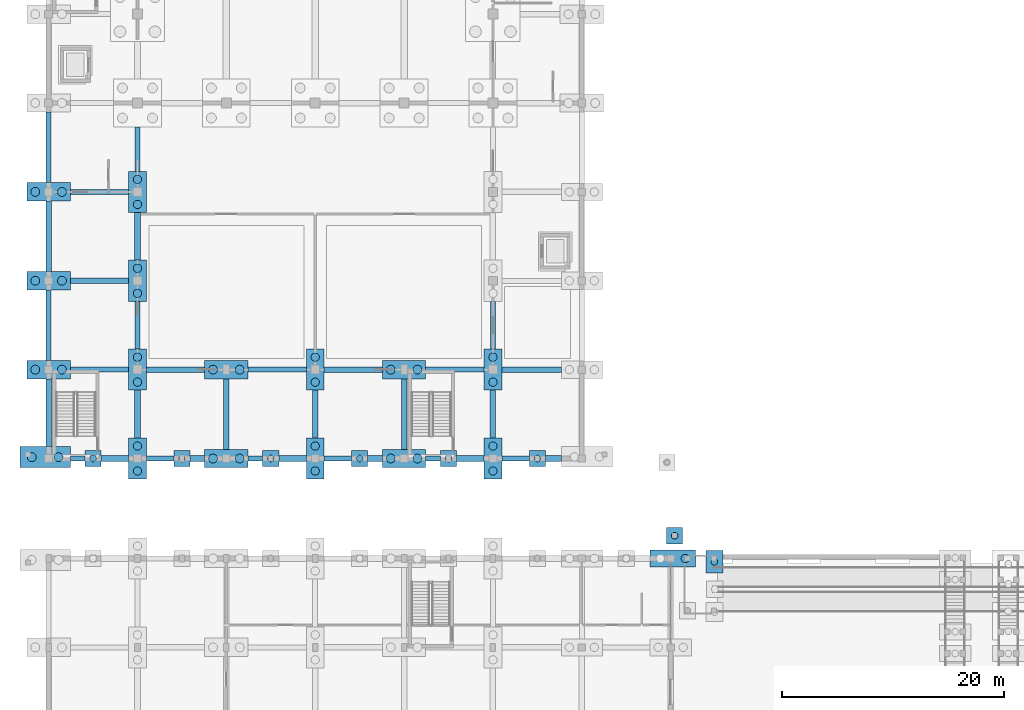
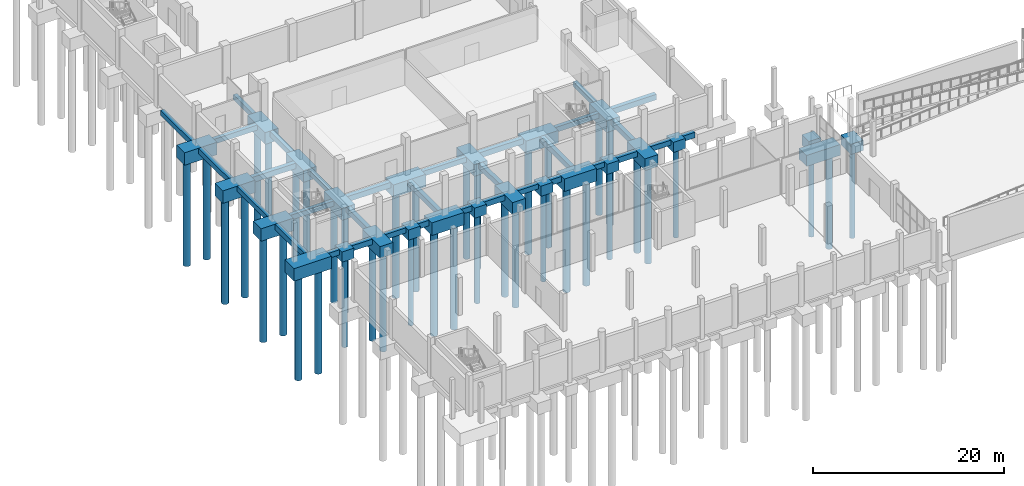
# One storey, part 3 of 52: 58 footings, 41 piles.
"""IFC4 building model written with IfcOpenShell, lengths in metres."""

from ifc_helpers import new_model, si_unit, direction, frame, origin, origin_2d, place, context, subcontext, project, spatial, polyline, rectangle, circle, outline, extrude, material, material_profile, profile_set, type_object, element, save


model = new_model("IFC4")

# Units and contexts
model_context = context("Model", 3, precision=1e-05, world=origin(), true_north=direction((0.0, 1.0)))
body_context = subcontext(model_context, "Body", "Model", "MODEL_VIEW")
ifc_project = project(units=[si_unit("LENGTHUNIT", "METRE"), si_unit("AREAUNIT", "SQUARE_METRE"), si_unit("VOLUMEUNIT", "CUBIC_METRE"), si_unit("PLANEANGLEUNIT", "RADIAN"), si_unit("MASSUNIT", "GRAM", prefix="KILO")], contexts=[model_context])

# Site, building, storey
site_placement = place(None, origin())
site = spatial("IfcSite", under=ifc_project, at=site_placement, CompositionType="ELEMENT")
building_placement = place(site_placement, origin())
building = spatial("IfcBuilding", under=site, at=building_placement, Name="Luwemba Playhouse", CompositionType="ELEMENT")
storey_placement = place(building_placement, frame((0.0, 0.0, -4.800048828125)))
storey = spatial("IfcBuildingStorey", under=building, at=storey_placement, Name="B1", CompositionType="ELEMENT", Elevation=-4.800048828125)

# Footings
ifc_material = material(Name="Concrete C32/40", Category="concrete")
ifc_material_profile_1 = material_profile(ifc_material, rectangle(XDim=0.449951171875, YDim=0.64990234375, at=origin_2d()))
ifc_profile_set_1 = profile_set([ifc_material_profile_1], Name="Concrete C32/40")
footing_type_1 = type_object("IfcFootingType", Name="FTBM-GB1", PredefinedType="FOOTING_BEAM", material=ifc_profile_set_1)
footing_1_placement = place(storey_placement, frame((5.949951171875, 36.0, -0.704833984375), z_axis=(1.0, 0.0, 0.0), x_axis=(0.0, 1.0, 0.0)))
element("IfcFooting", 1, at=footing_1_placement, inside=storey, type_object=footing_type_1, Name="Ground tie-beam 085", PredefinedType="FOOTING_BEAM", context=body_context, shape_type="SweptSolid", body=[
    extrude(rectangle(XDim=0.449951171875, YDim=0.64990234375, at=origin_2d()), origin(), (0.0, 0.0, 1.0), 1.324951171875),
])
footing_2_placement = place(storey_placement, frame((12.800048828125, 36.0, -0.704833984375), z_axis=(1.0, 0.0, 0.0), x_axis=(0.0, 1.0, 0.0)))
element("IfcFooting", 2, at=footing_2_placement, inside=storey, type_object=footing_type_1, Name="Ground tie-beam 087", PredefinedType="FOOTING_BEAM", context=body_context, shape_type="SweptSolid", body=[
    extrude(rectangle(XDim=0.449951171875, YDim=0.64990234375, at=origin_2d()), origin(), (0.0, 0.0, 1.0), 2.474853515625),
])
footing_3_placement = place(storey_placement, frame((21.949951171875, 36.0, -0.704833984375), z_axis=(1.0, 0.0, 0.0), x_axis=(0.0, 1.0, 0.0)))
element("IfcFooting", 3, at=footing_3_placement, inside=storey, type_object=footing_type_1, Name="Ground tie-beam 089", PredefinedType="FOOTING_BEAM", context=body_context, shape_type="SweptSolid", body=[
    extrude(rectangle(XDim=0.449951171875, YDim=0.64990234375, at=origin_2d()), origin(), (0.0, 0.0, 1.0), 1.324951171875),
])
footing_4_placement = place(storey_placement, frame((28.800048828125, 36.0, -0.704833984375), z_axis=(1.0, 0.0, 0.0), x_axis=(0.0, 1.0, 0.0)))
element("IfcFooting", 4, at=footing_4_placement, inside=storey, type_object=footing_type_1, Name="Ground tie-beam 091", PredefinedType="FOOTING_BEAM", context=body_context, shape_type="SweptSolid", body=[
    extrude(rectangle(XDim=0.449951171875, YDim=0.64990234375, at=origin_2d()), origin(), (0.0, 0.0, 1.0), 2.474853515625),
])
footing_5_placement = place(storey_placement, frame((37.949951171875, 36.0, -0.704833984375), z_axis=(1.0, 0.0, 0.0), x_axis=(0.0, 1.0, 0.0)))
element("IfcFooting", 5, at=footing_5_placement, inside=storey, type_object=footing_type_1, Name="Ground tie-beam 093", PredefinedType="FOOTING_BEAM", context=body_context, shape_type="SweptSolid", body=[
    extrude(rectangle(XDim=0.449951171875, YDim=0.64990234375, at=origin_2d()), origin(), (0.0, 0.0, 1.0), 1.324951171875),
])
footing_6_placement = place(storey_placement, frame((44.800048828125, 36.0, -0.704833984375), z_axis=(1.0, 0.0, 0.0), x_axis=(0.0, 1.0, 0.0)))
element("IfcFooting", 6, at=footing_6_placement, inside=storey, type_object=footing_type_1, Name="Ground tie-beam 095", PredefinedType="FOOTING_BEAM", context=body_context, shape_type="SweptSolid", body=[
    extrude(rectangle(XDim=0.449951171875, YDim=0.64990234375, at=origin_2d()), origin(), (0.0, 0.0, 1.0), 2.474853515625),
])
for number, where, z_axis, x_axis, name in (
    (7, (5.949951171875, 44.0, -0.704833984375), (1.0, 0.0, 0.0), (0.0, 1.0, 0.0), "Ground tie-beam 107"),
    (8, (21.949951171875, 44.0, -0.704833984375), (1.0, 0.0, 0.0), (0.0, 1.0, 0.0), "Ground tie-beam 109"),
    (9, (37.949951171875, 44.0, -0.704833984375), (1.0, 0.0, 0.0), (0.0, 1.0, 0.0), "Ground tie-beam 111"),
    (10, (5.949951171875, 60.0, -0.704833984375), (1.0, 0.0, 0.0), (0.0, 1.0, 0.0), "Ground tie-beam 125"),
):
    element("IfcFooting", number, at=place(storey_placement, frame(where, z_axis=z_axis, x_axis=x_axis)), inside=storey, type_object=footing_type_1, Name=name, PredefinedType="FOOTING_BEAM", context=body_context, shape_type="SweptSolid", body=[
        extrude(rectangle(XDim=0.449951171875, YDim=0.64990234375, at=origin_2d()), origin(), (0.0, 0.0, 1.0), 5.25),
    ])
for number, where, z_axis, x_axis, name in (
    (11, (4.0, 44.824951171875, -0.704833984375), (0.0, 1.0, 0.0), (-1.0, 0.0, 0.0), "Ground tie-beam 273"),
    (12, (4.0, 60.824951171875, -0.704833984375), (0.0, 1.0, 0.0), (-1.0, 0.0, 0.0), "Ground tie-beam 275"),
):
    element("IfcFooting", number, at=place(storey_placement, frame(where, z_axis=z_axis, x_axis=x_axis)), inside=storey, type_object=footing_type_1, Name=name, PredefinedType="FOOTING_BEAM", context=body_context, shape_type="SweptSolid", body=[
        extrude(rectangle(XDim=0.449951171875, YDim=0.64990234375, at=origin_2d()), origin(), (0.0, 0.0, 1.0), 6.35009765625),
    ])
footing_7_placement = place(storey_placement, frame((12.0, 45.85009765625, -0.704833984375), z_axis=(0.0, 1.0, 0.0), x_axis=(-1.0, 0.0, 0.0)))
element("IfcFooting", 13, at=footing_7_placement, inside=storey, type_object=footing_type_1, Name="Ground tie-beam 285", PredefinedType="FOOTING_BEAM", context=body_context, shape_type="SweptSolid", body=[
    extrude(rectangle(XDim=0.449951171875, YDim=0.64990234375, at=origin_2d()), origin(), (0.0, 0.0, 1.0), 4.2998046875),
])
footing_8_placement = place(storey_placement, frame((12.0, 61.85009765625, -0.704833984375), z_axis=(0.0, 1.0, 0.0), x_axis=(-1.0, 0.0, 0.0)))
element("IfcFooting", 14, at=footing_8_placement, inside=storey, type_object=footing_type_1, Name="Ground tie-beam 287", PredefinedType="FOOTING_BEAM", context=body_context, shape_type="SweptSolid", body=[
    extrude(rectangle(XDim=0.449951171875, YDim=0.64990234375, at=origin_2d()), origin(), (0.0, 0.0, 1.0), 4.0),
])
footing_9_placement = place(storey_placement, frame((44.0, 45.85009765625, -0.704833984375), z_axis=(0.0, 1.0, 0.0), x_axis=(-1.0, 0.0, 0.0)))
element("IfcFooting", 15, at=footing_9_placement, inside=storey, type_object=footing_type_1, Name="Ground tie-beam 321", PredefinedType="FOOTING_BEAM", context=body_context, shape_type="SweptSolid", body=[
    extrude(rectangle(XDim=0.449951171875, YDim=0.64990234375, at=origin_2d()), origin(), (0.0, 0.0, 1.0), 4.2998046875),
])
ifc_material_profile_2 = material_profile(ifc_material, rectangle(XDim=0.5, YDim=0.699951171875, at=origin_2d()))
ifc_profile_set_2 = profile_set([ifc_material_profile_2], Name="Concrete C32/40")
footing_type_2 = type_object("IfcFootingType", Name="FTBM-GB2", PredefinedType="FOOTING_BEAM", material=ifc_profile_set_2)
footing_10_placement = place(storey_placement, frame((8.72509765625, 36.0, -0.72998046875), z_axis=(1.0, 0.0, 0.0), x_axis=(0.0, 1.0, 0.0)))
element("IfcFooting", 16, at=footing_10_placement, inside=storey, type_object=footing_type_2, Name="Ground tie-beam 086", PredefinedType="FOOTING_BEAM", context=body_context, shape_type="SweptSolid", body=[
    extrude(rectangle(XDim=0.5, YDim=0.699951171875, at=origin_2d()), origin(), (0.0, 0.0, 1.0), 2.474853515625),
])
footing_11_placement = place(storey_placement, frame((16.72509765625, 36.0, -0.72998046875), z_axis=(1.0, 0.0, 0.0), x_axis=(0.0, 1.0, 0.0)))
element("IfcFooting", 17, at=footing_11_placement, inside=storey, type_object=footing_type_2, Name="Ground tie-beam 088", PredefinedType="FOOTING_BEAM", context=body_context, shape_type="SweptSolid", body=[
    extrude(rectangle(XDim=0.5, YDim=0.699951171875, at=origin_2d()), origin(), (0.0, 0.0, 1.0), 1.324951171875),
])
footing_12_placement = place(storey_placement, frame((24.72509765625, 36.0, -0.72998046875), z_axis=(1.0, 0.0, 0.0), x_axis=(0.0, 1.0, 0.0)))
element("IfcFooting", 18, at=footing_12_placement, inside=storey, type_object=footing_type_2, Name="Ground tie-beam 090", PredefinedType="FOOTING_BEAM", context=body_context, shape_type="SweptSolid", body=[
    extrude(rectangle(XDim=0.5, YDim=0.699951171875, at=origin_2d()), origin(), (0.0, 0.0, 1.0), 2.474853515625),
])
footing_13_placement = place(storey_placement, frame((32.72509765625, 36.0, -0.72998046875), z_axis=(1.0, 0.0, 0.0), x_axis=(0.0, 1.0, 0.0)))
element("IfcFooting", 19, at=footing_13_placement, inside=storey, type_object=footing_type_2, Name="Ground tie-beam 092", PredefinedType="FOOTING_BEAM", context=body_context, shape_type="SweptSolid", body=[
    extrude(rectangle(XDim=0.5, YDim=0.699951171875, at=origin_2d()), origin(), (0.0, 0.0, 1.0), 1.324951171875),
])
footing_14_placement = place(storey_placement, frame((40.72509765625, 36.0, -0.72998046875), z_axis=(1.0, 0.0, 0.0), x_axis=(0.0, 1.0, 0.0)))
element("IfcFooting", 20, at=footing_14_placement, inside=storey, type_object=footing_type_2, Name="Ground tie-beam 094", PredefinedType="FOOTING_BEAM", context=body_context, shape_type="SweptSolid", body=[
    extrude(rectangle(XDim=0.5, YDim=0.699951171875, at=origin_2d()), origin(), (0.0, 0.0, 1.0), 2.474853515625),
])
footing_15_placement = place(storey_placement, frame((48.72509765625, 36.0, -0.72998046875), z_axis=(1.0, 0.0, 0.0), x_axis=(0.0, 1.0, 0.0)))
element("IfcFooting", 21, at=footing_15_placement, inside=storey, type_object=footing_type_2, Name="Ground tie-beam 096", PredefinedType="FOOTING_BEAM", context=body_context, shape_type="SweptSolid", body=[
    extrude(rectangle(XDim=0.5, YDim=0.699951171875, at=origin_2d()), origin(), (0.0, 0.0, 1.0), 1.4248046875),
])
for number, where, z_axis, x_axis, name in (
    (22, (12.800048828125, 44.0, -0.72998046875), (1.0, 0.0, 0.0), (0.0, 1.0, 0.0), "Ground tie-beam 108"),
    (23, (28.800048828125, 44.0, -0.72998046875), (1.0, 0.0, 0.0), (0.0, 1.0, 0.0), "Ground tie-beam 110"),
):
    element("IfcFooting", number, at=place(storey_placement, frame(where, z_axis=z_axis, x_axis=x_axis)), inside=storey, type_object=footing_type_2, Name=name, PredefinedType="FOOTING_BEAM", context=body_context, shape_type="SweptSolid", body=[
        extrude(rectangle(XDim=0.5, YDim=0.699951171875, at=origin_2d()), origin(), (0.0, 0.0, 1.0), 5.25),
    ])
footing_16_placement = place(storey_placement, frame((44.800048828125, 44.0, -0.72998046875), z_axis=(1.0, 0.0, 0.0), x_axis=(0.0, 1.0, 0.0)))
element("IfcFooting", 24, at=footing_16_placement, inside=storey, type_object=footing_type_2, Name="Ground tie-beam 112", PredefinedType="FOOTING_BEAM", context=body_context, shape_type="SweptSolid", body=[
    extrude(rectangle(XDim=0.5, YDim=0.699951171875, at=origin_2d()), origin(), (0.0, 0.0, 1.0), 5.349853515625),
])
footing_17_placement = place(storey_placement, frame((5.949951171875, 52.0, -0.72998046875), z_axis=(1.0, 0.0, 0.0), x_axis=(0.0, 1.0, 0.0)))
element("IfcFooting", 25, at=footing_17_placement, inside=storey, type_object=footing_type_2, Name="Ground tie-beam 118", PredefinedType="FOOTING_BEAM", context=body_context, shape_type="SweptSolid", body=[
    extrude(rectangle(XDim=0.5, YDim=0.699951171875, at=origin_2d()), origin(), (0.0, 0.0, 1.0), 5.25),
])
footing_18_placement = place(storey_placement, frame((4.0, 37.074951171875, -0.72998046875), z_axis=(0.0, 1.0, 0.0), x_axis=(-1.0, 0.0, 0.0)))
element("IfcFooting", 26, at=footing_18_placement, inside=storey, type_object=footing_type_2, Name="Ground tie-beam 272", PredefinedType="FOOTING_BEAM", context=body_context, shape_type="SweptSolid", body=[
    extrude(rectangle(XDim=0.5, YDim=0.699951171875, at=origin_2d()), origin(), (0.0, 0.0, 1.0), 6.10009765625),
])
footing_19_placement = place(storey_placement, frame((4.0, 52.824951171875, -0.72998046875), z_axis=(0.0, 1.0, 0.0), x_axis=(-1.0, 0.0, 0.0)))
element("IfcFooting", 27, at=footing_19_placement, inside=storey, type_object=footing_type_2, Name="Ground tie-beam 274", PredefinedType="FOOTING_BEAM", context=body_context, shape_type="SweptSolid", body=[
    extrude(rectangle(XDim=0.5, YDim=0.699951171875, at=origin_2d()), origin(), (0.0, 0.0, 1.0), 6.35009765625),
])
for number, where, z_axis, x_axis, name in (
    (28, (12.0, 37.85009765625, -0.72998046875), (0.0, 1.0, 0.0), (-1.0, 0.0, 0.0), "Ground tie-beam 284"),
    (29, (12.0, 53.85009765625, -0.72998046875), (0.0, 1.0, 0.0), (-1.0, 0.0, 0.0), "Ground tie-beam 286"),
):
    element("IfcFooting", number, at=place(storey_placement, frame(where, z_axis=z_axis, x_axis=x_axis)), inside=storey, type_object=footing_type_2, Name=name, PredefinedType="FOOTING_BEAM", context=body_context, shape_type="SweptSolid", body=[
        extrude(rectangle(XDim=0.5, YDim=0.699951171875, at=origin_2d()), origin(), (0.0, 0.0, 1.0), 4.2998046875),
    ])
footing_20_placement = place(storey_placement, frame((20.0, 36.824951171875, -0.72998046875), z_axis=(0.0, 1.0, 0.0), x_axis=(-1.0, 0.0, 0.0)))
element("IfcFooting", 30, at=footing_20_placement, inside=storey, type_object=footing_type_2, Name="Ground tie-beam 296", PredefinedType="FOOTING_BEAM", context=body_context, shape_type="SweptSolid", body=[
    extrude(rectangle(XDim=0.5, YDim=0.699951171875, at=origin_2d()), origin(), (0.0, 0.0, 1.0), 6.35009765625),
])
footing_21_placement = place(storey_placement, frame((28.0, 37.85009765625, -0.72998046875), z_axis=(0.0, 1.0, 0.0), x_axis=(-1.0, 0.0, 0.0)))
element("IfcFooting", 31, at=footing_21_placement, inside=storey, type_object=footing_type_2, Name="Ground tie-beam 304", PredefinedType="FOOTING_BEAM", context=body_context, shape_type="SweptSolid", body=[
    extrude(rectangle(XDim=0.5, YDim=0.699951171875, at=origin_2d()), origin(), (0.0, 0.0, 1.0), 4.2998046875),
])
footing_22_placement = place(storey_placement, frame((36.0, 36.824951171875, -0.72998046875), z_axis=(0.0, 1.0, 0.0), x_axis=(-1.0, 0.0, 0.0)))
element("IfcFooting", 32, at=footing_22_placement, inside=storey, type_object=footing_type_2, Name="Ground tie-beam 312", PredefinedType="FOOTING_BEAM", context=body_context, shape_type="SweptSolid", body=[
    extrude(rectangle(XDim=0.5, YDim=0.699951171875, at=origin_2d()), origin(), (0.0, 0.0, 1.0), 6.35009765625),
])
footing_23_placement = place(storey_placement, frame((44.0, 37.85009765625, -0.72998046875), z_axis=(0.0, 1.0, 0.0), x_axis=(-1.0, 0.0, 0.0)))
element("IfcFooting", 33, at=footing_23_placement, inside=storey, type_object=footing_type_2, Name="Ground tie-beam 320", PredefinedType="FOOTING_BEAM", context=body_context, shape_type="SweptSolid", body=[
    extrude(rectangle(XDim=0.5, YDim=0.699951171875, at=origin_2d()), origin(), (0.0, 0.0, 1.0), 4.2998046875),
])
footing_type_3 = type_object("IfcFootingType", Name="FTG-PC02", PredefinedType="PILE_CAP", material=ifc_material)
footing_24_placement = place(storey_placement, frame((0.0, 0.0, -1.679931640625)))
element("IfcFooting", 34, at=footing_24_placement, inside=storey, type_object=footing_type_3, Name="Pile cap 123", PredefinedType="PILE_CAP", context=body_context, shape_type="SweptSolid", body=[
    extrude(outline(polyline([(59.625, 28.324951171875), (61.074951171875, 28.324951171875), (61.074951171875, 29.77490234375), (59.625, 29.77490234375), (59.625, 28.324951171875)])), origin(), (0.0, 0.0, 1.0), 1.300048828125),
])
footing_25_placement = place(storey_placement, frame((0.0, 0.0, -1.679931640625)))
element("IfcFooting", 35, at=footing_25_placement, inside=storey, type_object=footing_type_3, Name="Pile cap 140", PredefinedType="PILE_CAP", context=body_context, shape_type="SweptSolid", body=[
    extrude(outline(polyline([(7.27490234375, 35.27490234375), (8.72509765625, 35.27490234375), (8.72509765625, 36.72509765625), (7.27490234375, 36.72509765625), (7.27490234375, 35.27490234375)])), origin(), (0.0, 0.0, 1.0), 1.300048828125),
])
footing_26_placement = place(storey_placement, frame((0.0, 0.0, -1.679931640625)))
element("IfcFooting", 36, at=footing_26_placement, inside=storey, type_object=footing_type_3, Name="Pile cap 141", PredefinedType="PILE_CAP", context=body_context, shape_type="SweptSolid", body=[
    extrude(outline(polyline([(15.27490234375, 35.27490234375), (16.72509765625, 35.27490234375), (16.72509765625, 36.72509765625), (15.27490234375, 36.72509765625), (15.27490234375, 35.27490234375)])), origin(), (0.0, 0.0, 1.0), 1.300048828125),
])
footing_27_placement = place(storey_placement, frame((0.0, 0.0, -1.679931640625)))
element("IfcFooting", 37, at=footing_27_placement, inside=storey, type_object=footing_type_3, Name="Pile cap 142", PredefinedType="PILE_CAP", context=body_context, shape_type="SweptSolid", body=[
    extrude(outline(polyline([(23.27490234375, 35.27490234375), (24.72509765625, 35.27490234375), (24.72509765625, 36.72509765625), (23.27490234375, 36.72509765625), (23.27490234375, 35.27490234375)])), origin(), (0.0, 0.0, 1.0), 1.300048828125),
])
footing_28_placement = place(storey_placement, frame((0.0, 0.0, -1.679931640625)))
element("IfcFooting", 38, at=footing_28_placement, inside=storey, type_object=footing_type_3, Name="Pile cap 143", PredefinedType="PILE_CAP", context=body_context, shape_type="SweptSolid", body=[
    extrude(outline(polyline([(31.27490234375, 35.27490234375), (32.72509765625, 35.27490234375), (32.72509765625, 36.72509765625), (31.27490234375, 36.72509765625), (31.27490234375, 35.27490234375)])), origin(), (0.0, 0.0, 1.0), 1.300048828125),
])
footing_29_placement = place(storey_placement, frame((0.0, 0.0, -1.679931640625)))
element("IfcFooting", 39, at=footing_29_placement, inside=storey, type_object=footing_type_3, Name="Pile cap 144", PredefinedType="PILE_CAP", context=body_context, shape_type="SweptSolid", body=[
    extrude(outline(polyline([(39.27490234375, 35.27490234375), (40.72509765625, 35.27490234375), (40.72509765625, 36.72509765625), (39.27490234375, 36.72509765625), (39.27490234375, 35.27490234375)])), origin(), (0.0, 0.0, 1.0), 1.300048828125),
])
footing_30_placement = place(storey_placement, frame((0.0, 0.0, -1.679931640625)))
element("IfcFooting", 40, at=footing_30_placement, inside=storey, type_object=footing_type_3, Name="Pile cap 145", PredefinedType="PILE_CAP", context=body_context, shape_type="SweptSolid", body=[
    extrude(outline(polyline([(47.27490234375, 35.27490234375), (48.72509765625, 35.27490234375), (48.72509765625, 36.72509765625), (47.27490234375, 36.72509765625), (47.27490234375, 35.27490234375)])), origin(), (0.0, 0.0, 1.0), 1.300048828125),
])
footing_type_4 = type_object("IfcFootingType", Name="FTG-PC03", PredefinedType="PILE_CAP", material=ifc_material)
footing_31_placement = place(storey_placement, frame((0.0, 0.0, -1.8798828125)))
element("IfcFooting", 41, at=footing_31_placement, inside=storey, type_object=footing_type_4, Name="Pile cap 125", PredefinedType="PILE_CAP", context=body_context, shape_type="SweptSolid", body=[
    extrude(outline(polyline([(11.199951171875, 34.14990234375), (12.800048828125, 34.14990234375), (12.800048828125, 37.85009765625), (11.199951171875, 37.85009765625), (11.199951171875, 34.14990234375)])), origin(), (0.0, 0.0, 1.0), 1.5),
])
footing_32_placement = place(storey_placement, frame((0.0, 0.0, -1.8798828125)))
element("IfcFooting", 42, at=footing_32_placement, inside=storey, type_object=footing_type_4, Name="Pile cap 126", PredefinedType="PILE_CAP", context=body_context, shape_type="SweptSolid", body=[
    extrude(outline(polyline([(27.199951171875, 34.14990234375), (28.800048828125, 34.14990234375), (28.800048828125, 37.85009765625), (27.199951171875, 37.85009765625), (27.199951171875, 34.14990234375)])), origin(), (0.0, 0.0, 1.0), 1.5),
])
footing_33_placement = place(storey_placement, frame((0.0, 0.0, -1.8798828125)))
element("IfcFooting", 43, at=footing_33_placement, inside=storey, type_object=footing_type_4, Name="Pile cap 127", PredefinedType="PILE_CAP", context=body_context, shape_type="SweptSolid", body=[
    extrude(outline(polyline([(43.199951171875, 34.14990234375), (44.800048828125, 34.14990234375), (44.800048828125, 37.85009765625), (43.199951171875, 37.85009765625), (43.199951171875, 34.14990234375)])), origin(), (0.0, 0.0, 1.0), 1.5),
])
footing_34_placement = place(storey_placement, frame((0.0, 0.0, -1.8798828125)))
element("IfcFooting", 44, at=footing_34_placement, inside=storey, type_object=footing_type_4, Name="Pile cap 152", PredefinedType="PILE_CAP", context=body_context, shape_type="SweptSolid", body=[
    extrude(outline(polyline([(11.199951171875, 42.14990234375), (12.800048828125, 42.14990234375), (12.800048828125, 45.85009765625), (11.199951171875, 45.85009765625), (11.199951171875, 42.14990234375)])), origin(), (0.0, 0.0, 1.0), 1.5),
])
footing_35_placement = place(storey_placement, frame((0.0, 0.0, -1.8798828125)))
element("IfcFooting", 45, at=footing_35_placement, inside=storey, type_object=footing_type_4, Name="Pile cap 153", PredefinedType="PILE_CAP", context=body_context, shape_type="SweptSolid", body=[
    extrude(outline(polyline([(27.199951171875, 42.14990234375), (28.800048828125, 42.14990234375), (28.800048828125, 45.85009765625), (27.199951171875, 45.85009765625), (27.199951171875, 42.14990234375)])), origin(), (0.0, 0.0, 1.0), 1.5),
])
footing_36_placement = place(storey_placement, frame((0.0, 0.0, -1.8798828125)))
element("IfcFooting", 46, at=footing_36_placement, inside=storey, type_object=footing_type_4, Name="Pile cap 154", PredefinedType="PILE_CAP", context=body_context, shape_type="SweptSolid", body=[
    extrude(outline(polyline([(43.199951171875, 42.14990234375), (44.800048828125, 42.14990234375), (44.800048828125, 45.85009765625), (43.199951171875, 45.85009765625), (43.199951171875, 42.14990234375)])), origin(), (0.0, 0.0, 1.0), 1.5),
])
footing_37_placement = place(storey_placement, frame((0.0, 0.0, -1.8798828125)))
element("IfcFooting", 47, at=footing_37_placement, inside=storey, type_object=footing_type_4, Name="Pile cap 165", PredefinedType="PILE_CAP", context=body_context, shape_type="SweptSolid", body=[
    extrude(outline(polyline([(11.199951171875, 50.14990234375), (12.800048828125, 50.14990234375), (12.800048828125, 53.85009765625), (11.199951171875, 53.85009765625), (11.199951171875, 50.14990234375)])), origin(), (0.0, 0.0, 1.0), 1.5),
])
footing_38_placement = place(storey_placement, frame((0.0, 0.0, -1.8798828125)))
element("IfcFooting", 48, at=footing_38_placement, inside=storey, type_object=footing_type_4, Name="Pile cap 175", PredefinedType="PILE_CAP", context=body_context, shape_type="SweptSolid", body=[
    extrude(outline(polyline([(11.199951171875, 58.14990234375), (12.800048828125, 58.14990234375), (12.800048828125, 61.85009765625), (11.199951171875, 61.85009765625), (11.199951171875, 58.14990234375)])), origin(), (0.0, 0.0, 1.0), 1.5),
])
footing_type_5 = type_object("IfcFootingType", Name="FTG-PC04", PredefinedType="PILE_CAP", material=ifc_material)
footing_39_placement = place(storey_placement, frame((0.0, 0.0, -1.97998046875)))
element("IfcFooting", 49, at=footing_39_placement, inside=storey, type_object=footing_type_5, Name="Pile cap 134", PredefinedType="PILE_CAP", context=body_context, shape_type="SweptSolid", body=[
    extrude(outline(polyline([(18.050048828125, 35.175048828125), (21.949951171875, 35.175048828125), (21.949951171875, 36.824951171875), (18.050048828125, 36.824951171875), (18.050048828125, 35.175048828125)])), origin(), (0.0, 0.0, 1.0), 1.60009765625),
])
footing_40_placement = place(storey_placement, frame((0.0, 0.0, -1.97998046875)))
element("IfcFooting", 50, at=footing_40_placement, inside=storey, type_object=footing_type_5, Name="Pile cap 135", PredefinedType="PILE_CAP", context=body_context, shape_type="SweptSolid", body=[
    extrude(outline(polyline([(34.050048828125, 35.175048828125), (37.949951171875, 35.175048828125), (37.949951171875, 36.824951171875), (34.050048828125, 36.824951171875), (34.050048828125, 35.175048828125)])), origin(), (0.0, 0.0, 1.0), 1.60009765625),
])
footing_41_placement = place(storey_placement, frame((0.0, 0.0, -1.97998046875)))
element("IfcFooting", 51, at=footing_41_placement, inside=storey, type_object=footing_type_5, Name="Pile cap 158", PredefinedType="PILE_CAP", context=body_context, shape_type="SweptSolid", body=[
    extrude(outline(polyline([(2.050048828125, 43.175048828125), (5.949951171875, 43.175048828125), (5.949951171875, 44.824951171875), (2.050048828125, 44.824951171875), (2.050048828125, 43.175048828125)])), origin(), (0.0, 0.0, 1.0), 1.60009765625),
])
footing_42_placement = place(storey_placement, frame((0.0, 0.0, -1.97998046875)))
element("IfcFooting", 52, at=footing_42_placement, inside=storey, type_object=footing_type_5, Name="Pile cap 159", PredefinedType="PILE_CAP", context=body_context, shape_type="SweptSolid", body=[
    extrude(outline(polyline([(18.050048828125, 43.175048828125), (21.949951171875, 43.175048828125), (21.949951171875, 44.824951171875), (18.050048828125, 44.824951171875), (18.050048828125, 43.175048828125)])), origin(), (0.0, 0.0, 1.0), 1.60009765625),
])
footing_43_placement = place(storey_placement, frame((0.0, 0.0, -1.97998046875)))
element("IfcFooting", 53, at=footing_43_placement, inside=storey, type_object=footing_type_5, Name="Pile cap 160", PredefinedType="PILE_CAP", context=body_context, shape_type="SweptSolid", body=[
    extrude(outline(polyline([(34.050048828125, 43.175048828125), (37.949951171875, 43.175048828125), (37.949951171875, 44.824951171875), (34.050048828125, 44.824951171875), (34.050048828125, 43.175048828125)])), origin(), (0.0, 0.0, 1.0), 1.60009765625),
])
footing_44_placement = place(storey_placement, frame((0.0, 0.0, -1.97998046875)))
element("IfcFooting", 54, at=footing_44_placement, inside=storey, type_object=footing_type_5, Name="Pile cap 169", PredefinedType="PILE_CAP", context=body_context, shape_type="SweptSolid", body=[
    extrude(outline(polyline([(2.050048828125, 51.175048828125), (5.949951171875, 51.175048828125), (5.949951171875, 52.824951171875), (2.050048828125, 52.824951171875), (2.050048828125, 51.175048828125)])), origin(), (0.0, 0.0, 1.0), 1.60009765625),
])
footing_45_placement = place(storey_placement, frame((0.0, 0.0, -1.97998046875)))
element("IfcFooting", 55, at=footing_45_placement, inside=storey, type_object=footing_type_5, Name="Pile cap 181", PredefinedType="PILE_CAP", context=body_context, shape_type="SweptSolid", body=[
    extrude(outline(polyline([(2.050048828125, 59.175048828125), (5.949951171875, 59.175048828125), (5.949951171875, 60.824951171875), (2.050048828125, 60.824951171875), (2.050048828125, 59.175048828125)])), origin(), (0.0, 0.0, 1.0), 1.60009765625),
])
footing_type_6 = type_object("IfcFootingType", Name="FTG-PC17", PredefinedType="PILE_CAP", material=ifc_material)
footing_46_placement = place(storey_placement, frame((0.0, 0.0, -1.679931640625)))
element("IfcFooting", 56, at=footing_46_placement, inside=storey, type_object=footing_type_6, Name="Pile cap 094", PredefinedType="PILE_CAP", context=body_context, shape_type="SweptSolid", body=[
    extrude(outline(polyline([(63.175048828125, 25.675048828125), (64.695068359375, 25.675048828125), (64.695068359375, 27.72509765625), (63.175048828125, 27.72509765625), (63.175048828125, 25.675048828125)])), origin(), (0.0, 0.0, 1.0), 1.300048828125),
])
footing_type_7 = type_object("IfcFootingType", Name="FTG-PC18", PredefinedType="PILE_CAP", material=ifc_material)
footing_47_placement = place(storey_placement, frame((0.0, 0.0, -1.97998046875)))
element("IfcFooting", 57, at=footing_47_placement, inside=storey, type_object=footing_type_7, Name="Pile cap 133", PredefinedType="PILE_CAP", context=body_context, shape_type="SweptSolid", body=[
    extrude(outline(polyline([(1.425048828125, 35.175048828125), (5.949951171875, 35.175048828125), (5.949951171875, 37.074951171875), (1.425048828125, 37.074951171875), (1.425048828125, 35.175048828125)])), origin(), (0.0, 0.0, 1.0), 1.60009765625),
])
footing_type_8 = type_object("IfcFootingType", Name="FTG-PC19", PredefinedType="PILE_CAP", material=ifc_material)
footing_48_placement = place(storey_placement, frame((0.0, 0.0, -1.780029296875)))
element("IfcFooting", 58, at=footing_48_placement, inside=storey, type_object=footing_type_8, Name="Pile cap 100", PredefinedType="PILE_CAP", context=body_context, shape_type="SweptSolid", body=[
    extrude(outline(polyline([(58.14990234375, 26.22509765625), (62.22509765625, 26.22509765625), (62.22509765625, 27.77490234375), (58.14990234375, 27.77490234375), (58.14990234375, 26.22509765625)])), origin(), (0.0, 0.0, 1.0), 1.400146484375),
])

# Piles
ifc_material_profile_3 = material_profile(ifc_material, circle(Radius=0.300048828125, at=origin_2d()))
ifc_profile_set_3 = profile_set([ifc_material_profile_3], Name="Concrete C32/40")
pile_type_1 = type_object("IfcPileType", Name="PILE-BP1", PredefinedType="BORED", material=ifc_profile_set_3)
for number, where, z_axis, x_axis, name in (
    (59, (63.93505859375, 26.699951171875, -1.579833984375), (0.0, 0.0, -1.0), (1.0, 0.0, 0.0), "Bored pile 153"),
    (60, (60.35009765625, 29.050048828125, -1.579833984375), (0.0, 0.0, -1.0), (1.0, 0.0, 0.0), "Bored pile 195"),
    (61, (8.0, 36.0, -1.579833984375), (0.0, 0.0, -1.0), (1.0, 0.0, 0.0), "Bored pile 225"),
    (62, (16.0, 36.0, -1.579833984375), (0.0, 0.0, -1.0), (1.0, 0.0, 0.0), "Bored pile 226"),
    (63, (24.0, 36.0, -1.579833984375), (0.0, 0.0, -1.0), (1.0, 0.0, 0.0), "Bored pile 227"),
    (64, (32.0, 36.0, -1.579833984375), (0.0, 0.0, -1.0), (1.0, 0.0, 0.0), "Bored pile 228"),
    (65, (40.0, 36.0, -1.579833984375), (0.0, 0.0, -1.0), (1.0, 0.0, 0.0), "Bored pile 229"),
    (66, (48.0, 36.0, -1.579833984375), (0.0, 0.0, -1.0), (1.0, 0.0, 0.0), "Bored pile 230"),
):
    element("IfcPile", number, at=place(storey_placement, frame(where, z_axis=z_axis, x_axis=x_axis)), inside=storey, type_object=pile_type_1, Name=name, PredefinedType="BORED", context=body_context, shape_type="SweptSolid", body=[
        extrude(circle(Radius=0.300048828125, at=origin_2d()), origin(), (0.0, 0.0, 1.0), 11.5),
    ])
ifc_material_profile_4 = material_profile(ifc_material, circle(Radius=0.375, at=origin_2d()))
ifc_profile_set_4 = profile_set([ifc_material_profile_4], Name="Concrete C32/40")
pile_type_2 = type_object("IfcPileType", Name="PILE-BP2", PredefinedType="BORED", material=ifc_profile_set_4)
pile_placement = place(storey_placement, frame((61.3125, 27.0, -1.679931640625), z_axis=(0.0, 0.0, -1.0), x_axis=(1.0, 0.0, 0.0)))
element("IfcPile", 67, at=pile_placement, inside=storey, type_object=pile_type_2, Name="Bored pile 165", PredefinedType="BORED", context=body_context, shape_type="SweptSolid", body=[
    extrude(circle(Radius=0.375, at=origin_2d()), origin(), (0.0, 0.0, 1.0), 12.0),
])
for number, where, z_axis, x_axis, name in (
    (68, (12.0, 34.875, -1.780029296875), (0.0, 0.0, -1.0), (1.0, 0.0, 0.0), "Bored pile 197"),
    (69, (12.0, 37.125, -1.780029296875), (0.0, 0.0, -1.0), (1.0, 0.0, 0.0), "Bored pile 198"),
    (70, (28.0, 34.875, -1.780029296875), (0.0, 0.0, -1.0), (1.0, 0.0, 0.0), "Bored pile 199"),
    (71, (28.0, 37.125, -1.780029296875), (0.0, 0.0, -1.0), (1.0, 0.0, 0.0), "Bored pile 200"),
    (72, (44.0, 34.875, -1.780029296875), (0.0, 0.0, -1.0), (1.0, 0.0, 0.0), "Bored pile 201"),
    (73, (44.0, 37.125, -1.780029296875), (0.0, 0.0, -1.0), (1.0, 0.0, 0.0), "Bored pile 202"),
    (74, (12.0, 42.875, -1.780029296875), (0.0, 0.0, -1.0), (1.0, 0.0, 0.0), "Bored pile 237"),
    (75, (12.0, 45.125, -1.780029296875), (0.0, 0.0, -1.0), (1.0, 0.0, 0.0), "Bored pile 238"),
    (76, (28.0, 42.875, -1.780029296875), (0.0, 0.0, -1.0), (1.0, 0.0, 0.0), "Bored pile 239"),
    (77, (28.0, 45.125, -1.780029296875), (0.0, 0.0, -1.0), (1.0, 0.0, 0.0), "Bored pile 240"),
    (78, (44.0, 42.875, -1.780029296875), (0.0, 0.0, -1.0), (1.0, 0.0, 0.0), "Bored pile 241"),
    (79, (44.0, 45.125, -1.780029296875), (0.0, 0.0, -1.0), (1.0, 0.0, 0.0), "Bored pile 242"),
    (80, (12.0, 50.875, -1.780029296875), (0.0, 0.0, -1.0), (1.0, 0.0, 0.0), "Bored pile 263"),
    (81, (12.0, 53.125, -1.780029296875), (0.0, 0.0, -1.0), (1.0, 0.0, 0.0), "Bored pile 264"),
    (82, (12.0, 58.875, -1.780029296875), (0.0, 0.0, -1.0), (1.0, 0.0, 0.0), "Bored pile 283"),
    (83, (12.0, 61.125, -1.780029296875), (0.0, 0.0, -1.0), (1.0, 0.0, 0.0), "Bored pile 284"),
):
    element("IfcPile", number, at=place(storey_placement, frame(where, z_axis=z_axis, x_axis=x_axis)), inside=storey, type_object=pile_type_2, Name=name, PredefinedType="BORED", context=body_context, shape_type="SweptSolid", body=[
        extrude(circle(Radius=0.375, at=origin_2d()), origin(), (0.0, 0.0, 1.0), 12.5),
    ])
ifc_material_profile_5 = material_profile(ifc_material, circle(Radius=0.39990234375, at=origin_2d()))
ifc_profile_set_5 = profile_set([ifc_material_profile_5], Name="Concrete C32/40")
pile_type_3 = type_object("IfcPileType", Name="PILE-BP3", PredefinedType="BORED", material=ifc_profile_set_5)
for number, where, z_axis, x_axis, name in (
    (84, (2.487548828125, 36.125, -1.8798828125), (0.0, 0.0, -1.0), (1.0, 0.0, 0.0), "Bored pile 211"),
    (85, (4.887451171875, 36.125, -1.8798828125), (0.0, 0.0, -1.0), (1.0, 0.0, 0.0), "Bored pile 212"),
    (86, (18.800048828125, 36.0, -1.8798828125), (0.0, 0.0, -1.0), (1.0, 0.0, 0.0), "Bored pile 213"),
    (87, (21.199951171875, 36.0, -1.8798828125), (0.0, 0.0, -1.0), (1.0, 0.0, 0.0), "Bored pile 214"),
    (88, (34.800048828125, 36.0, -1.8798828125), (0.0, 0.0, -1.0), (1.0, 0.0, 0.0), "Bored pile 215"),
    (89, (37.199951171875, 36.0, -1.8798828125), (0.0, 0.0, -1.0), (1.0, 0.0, 0.0), "Bored pile 216"),
    (90, (2.800048828125, 44.0, -1.8798828125), (0.0, 0.0, -1.0), (1.0, 0.0, 0.0), "Bored pile 249"),
    (91, (5.199951171875, 44.0, -1.8798828125), (0.0, 0.0, -1.0), (1.0, 0.0, 0.0), "Bored pile 250"),
    (92, (18.800048828125, 44.0, -1.8798828125), (0.0, 0.0, -1.0), (1.0, 0.0, 0.0), "Bored pile 251"),
    (93, (21.199951171875, 44.0, -1.8798828125), (0.0, 0.0, -1.0), (1.0, 0.0, 0.0), "Bored pile 252"),
    (94, (34.800048828125, 44.0, -1.8798828125), (0.0, 0.0, -1.0), (1.0, 0.0, 0.0), "Bored pile 253"),
    (95, (37.199951171875, 44.0, -1.8798828125), (0.0, 0.0, -1.0), (1.0, 0.0, 0.0), "Bored pile 254"),
    (96, (2.800048828125, 52.0, -1.8798828125), (0.0, 0.0, -1.0), (1.0, 0.0, 0.0), "Bored pile 271"),
    (97, (5.199951171875, 52.0, -1.8798828125), (0.0, 0.0, -1.0), (1.0, 0.0, 0.0), "Bored pile 272"),
    (98, (2.800048828125, 60.0, -1.8798828125), (0.0, 0.0, -1.0), (1.0, 0.0, 0.0), "Bored pile 294"),
    (99, (5.199951171875, 60.0, -1.8798828125), (0.0, 0.0, -1.0), (1.0, 0.0, 0.0), "Bored pile 295"),
):
    element("IfcPile", number, at=place(storey_placement, frame(where, z_axis=z_axis, x_axis=x_axis)), inside=storey, type_object=pile_type_3, Name=name, PredefinedType="BORED", context=body_context, shape_type="SweptSolid", body=[
        extrude(circle(Radius=0.39990234375, at=origin_2d()), origin(), (0.0, 0.0, 1.0), 13.5),
    ])

save(model, "model.ifc")
